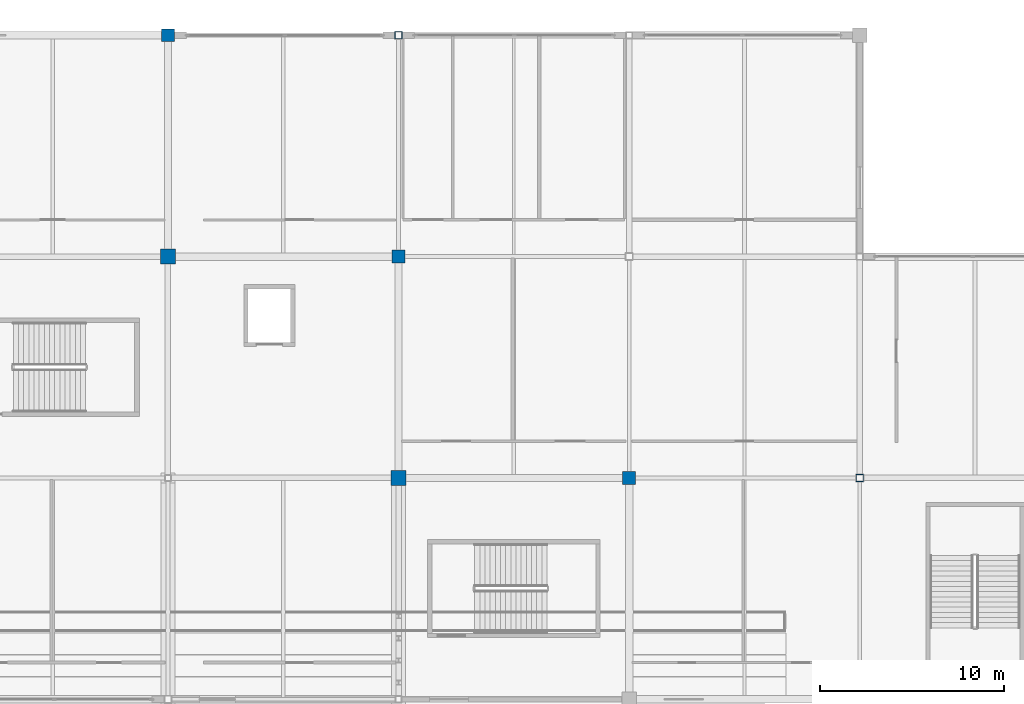
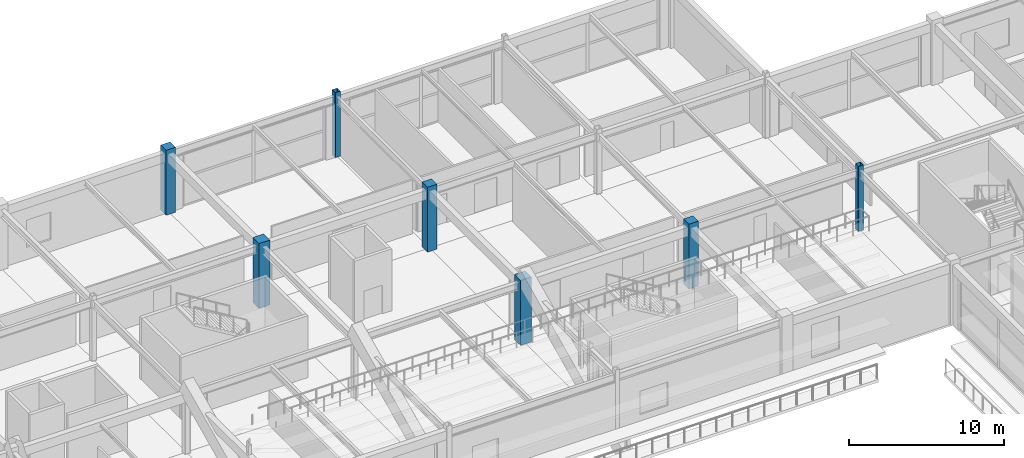
# One storey, part 23 of 128: 7 columns.
"""IFC4 building model written with IfcOpenShell, lengths in metres."""

from ifc_helpers import new_model, si_unit, direction, frame, origin, origin_2d, place, context, subcontext, project, spatial, rectangle, hollow_rectangle, extrude, material, material_profile, profile_set, type_object, element, save


model = new_model("IFC4")

# Units and contexts
model_context = context("Model", 3, precision=1e-05, world=origin(), true_north=direction((0.0, 1.0)))
body_context = subcontext(model_context, "Body", "Model", "MODEL_VIEW")
ifc_project = project(units=[si_unit("LENGTHUNIT", "METRE"), si_unit("AREAUNIT", "SQUARE_METRE"), si_unit("VOLUMEUNIT", "CUBIC_METRE"), si_unit("PLANEANGLEUNIT", "RADIAN"), si_unit("MASSUNIT", "GRAM", prefix="KILO")], contexts=[model_context])

# Site, building, storey
site_placement = place(None, origin())
site = spatial("IfcSite", under=ifc_project, at=site_placement, CompositionType="ELEMENT")
building_placement = place(site_placement, origin())
building = spatial("IfcBuilding", under=site, at=building_placement, Name="Kazenohara Klinker Stadium", CompositionType="ELEMENT")
storey_placement = place(building_placement, frame((0.0, 0.0, 15.300048828125)))
storey = spatial("IfcBuildingStorey", under=building, at=storey_placement, Name="L03", CompositionType="ELEMENT", Elevation=15.300048828125)

# Columns
ifc_material_1 = material(Name="Concrete C40/50", Category="concrete")
ifc_material_profile_1 = material_profile(ifc_material_1, rectangle(XDim=0.800048828125, YDim=0.800048828125, at=origin_2d()), Name="RC-COL-800x800")
ifc_profile_set_1 = profile_set([ifc_material_profile_1], Name="Concrete C40/50")
column_type_1 = type_object("IfcColumnType", Name="COL-RC05", PredefinedType="COLUMN", material=ifc_profile_set_1)
for number, where, z_axis, x_axis, name in (
    (1, (137.5, 156.0, 0.0), (0.0, 0.0, 1.0), (1.0, 0.0, 0.0), "Column C05 L03 12/P"),
    (2, (150.0, 144.0, 0.0), (0.0, 0.0, 1.0), (1.0, 0.0, 0.0), "Column C05 L03 13/N"),
):
    element("IfcColumn", number, at=place(storey_placement, frame(where, z_axis=z_axis, x_axis=x_axis)), inside=storey, type_object=column_type_1, Name=name, PredefinedType="COLUMN", context=body_context, shape_type="SweptSolid", body=[
        extrude(rectangle(XDim=0.800048828125, YDim=0.800048828125, at=origin_2d()), origin(), (0.0, 0.0, 1.0), 5.099853515625),
    ])
ifc_material_profile_2 = material_profile(ifc_material_1, rectangle(XDim=0.699951171875, YDim=0.699951171875, at=origin_2d()), Name="RC-COL-700x700")
ifc_profile_set_2 = profile_set([ifc_material_profile_2], Name="Concrete C40/50")
column_type_2 = type_object("IfcColumnType", Name="COL-RC06", PredefinedType="COLUMN", material=ifc_profile_set_2)
for number, where, z_axis, x_axis, name in (
    (3, (137.5, 168.0, 0.0), (0.0, 0.0, 1.0), (1.0, 0.0, 0.0), "Column C06 L03 12/Q"),
    (4, (150.0, 156.0, 0.0), (0.0, 0.0, 1.0), (1.0, 0.0, 0.0), "Column C06 L03 13/P"),
    (5, (162.5, 144.0, 0.0), (0.0, 0.0, 1.0), (1.0, 0.0, 0.0), "Column C06 L03 14/N"),
):
    element("IfcColumn", number, at=place(storey_placement, frame(where, z_axis=z_axis, x_axis=x_axis)), inside=storey, type_object=column_type_2, Name=name, PredefinedType="COLUMN", context=body_context, shape_type="SweptSolid", body=[
        extrude(rectangle(XDim=0.699951171875, YDim=0.699951171875, at=origin_2d()), origin(), (0.0, 0.0, 1.0), 5.099853515625),
    ])
ifc_material_2 = material(Name="Steel S355", Category="steel")
ifc_material_profile_3 = material_profile(ifc_material_2, hollow_rectangle(XDim=0.39990234375, YDim=0.39990234375, WallThickness=0.01611328125, InnerFilletRadius=0.01611328125, OuterFilletRadius=0.031982421875, at=origin_2d()), Name="SHS-400x400x16")
ifc_profile_set_3 = profile_set([ifc_material_profile_3], Name="Steel S355")
column_type_3 = type_object("IfcColumnType", Name="COL-ST01", PredefinedType="COLUMN", material=ifc_profile_set_3)
for number, where, z_axis, x_axis, name in (
    (6, (150.0, 168.0, 0.0), (0.0, 0.0, 1.0), (1.0, 0.0, 0.0), "Column SC01 L03 13/Q"),
    (7, (175.0, 144.0, 0.0), (0.0, 0.0, 1.0), (1.0, 0.0, 0.0), "Column SC01 L03 15/N"),
):
    element("IfcColumn", number, at=place(storey_placement, frame(where, z_axis=z_axis, x_axis=x_axis)), inside=storey, type_object=column_type_3, Name=name, PredefinedType="COLUMN", context=body_context, shape_type="SweptSolid", body=[
        extrude(hollow_rectangle(XDim=0.39990234375, YDim=0.39990234375, WallThickness=0.01611328125, InnerFilletRadius=0.01611328125, OuterFilletRadius=0.031982421875, at=origin_2d()), origin(), (0.0, 0.0, 1.0), 5.099853515625),
    ])

save(model, "model.ifc")
